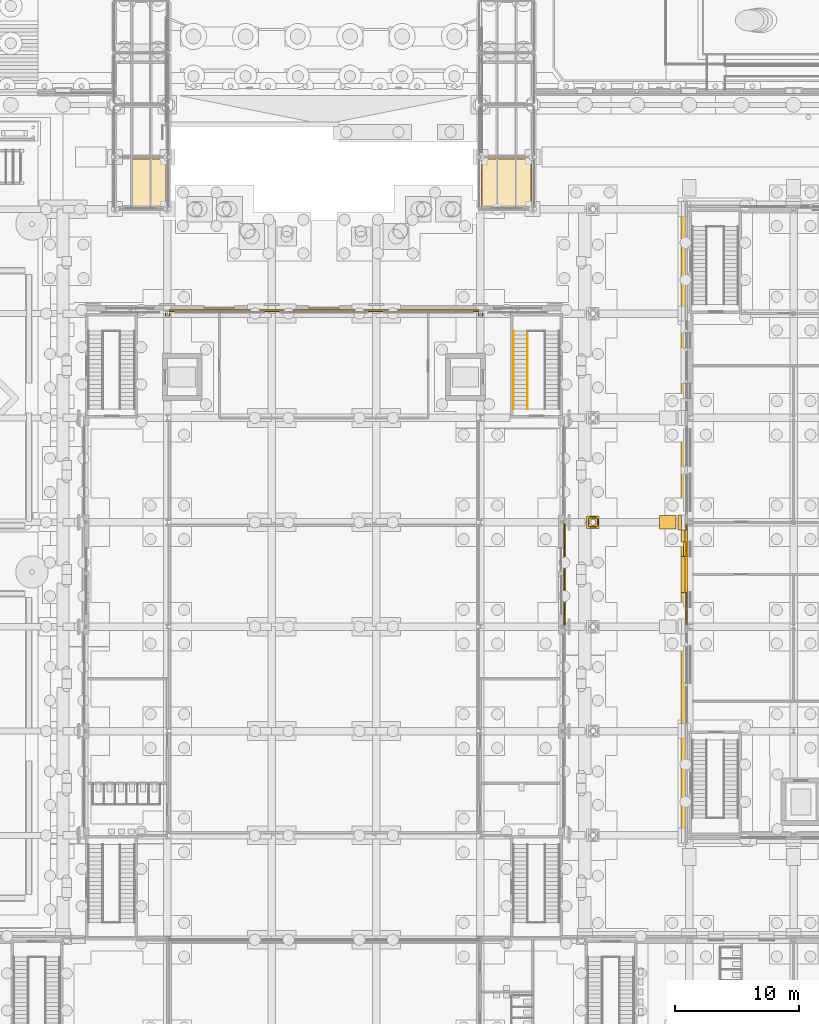
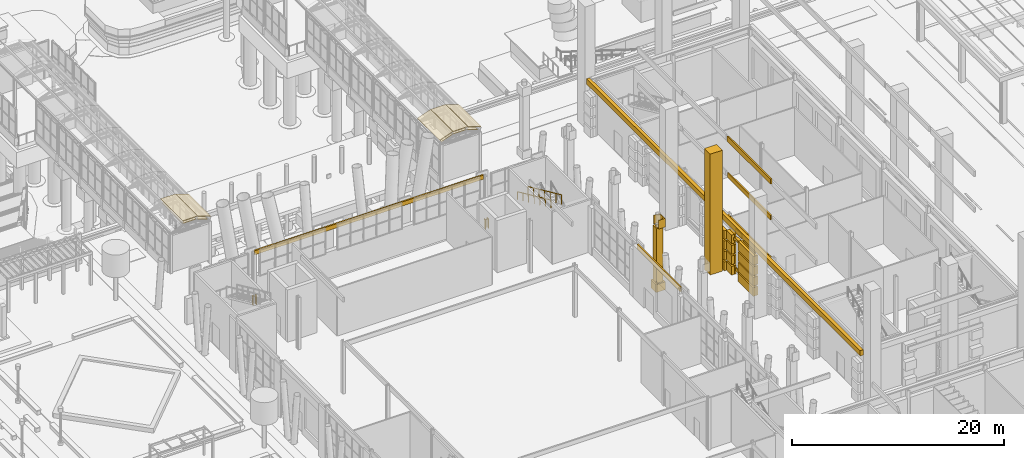
# One storey, part 152 of 222: 45 coverings, 4 railings.
"""IFC4 building model written with IfcOpenShell, lengths in metres."""

from ifc_helpers import new_model, si_unit, direction, frame, origin, origin_2d, place, context, subcontext, project, spatial, polyline, rectangle, circle, outline, extrude, material, layer, layer_set, type_object, element, save


model = new_model("IFC4")

# Units and contexts
model_context = context("Model", 3, precision=1e-05, world=origin(), true_north=direction((0.0, 1.0)))
body_context = subcontext(model_context, "Body", "Model", "MODEL_VIEW")
ifc_project = project(units=[si_unit("LENGTHUNIT", "METRE"), si_unit("AREAUNIT", "SQUARE_METRE"), si_unit("VOLUMEUNIT", "CUBIC_METRE"), si_unit("PLANEANGLEUNIT", "RADIAN"), si_unit("MASSUNIT", "GRAM", prefix="KILO")], contexts=[model_context])

# Site, building, storey
site_placement = place(None, origin())
site = spatial("IfcSite", under=ifc_project, at=site_placement, CompositionType="ELEMENT")
building_placement = place(site_placement, origin())
building = spatial("IfcBuilding", under=site, at=building_placement, Name="Sava Quay Ferry Terminal", CompositionType="ELEMENT")
storey_placement = place(building_placement, origin())
storey = spatial("IfcBuildingStorey", under=building, at=storey_placement, Name="L00", CompositionType="ELEMENT", Elevation=0.0)

# Coverings
ifc_material_1 = material(Name="Limestone Mutalj", Category="masonry")
ifc_layer_1 = layer(ifc_material_1, 0.300048828125)
ifc_layer_set_1 = layer_set([ifc_layer_1], Name="Limestone Mutalj")
covering_type_1 = type_object("IfcCoveringType", Name="Arch band 280", PredefinedType="MOLDING", material=ifc_layer_set_1)
covering_1_placement = place(storey_placement, frame((92.25, 81.231201171875, 3.89990234375), z_axis=(1.0, 0.0, 0.0), x_axis=(0.0, 0.766686318179, 0.642021876199)))
element("IfcCovering", 1, at=covering_1_placement, inside=storey, type_object=covering_type_1, Name="Arch band", PredefinedType="MOLDING", context=body_context, shape_type="SweptSolid", body=[
    extrude(outline(polyline([(0.0, 0.0), (0.15667057654730215, -1.3877787807814457e-17), (0.29293404656438327, -0.02398938309786766), (0.414337308134961, -0.06610472040016957), (0.5230139006591377, -0.1230376562322823), (0.6205921316676617, -0.19360424362325043), (0.7071983091278714, -0.2772733803971569), (0.7823317665186302, -0.3742626814856812), (0.8451129134167863, -0.48638306834825396), (0.8926594933146406, -0.6163159221710233), (0.9201733252360722, -0.7705516463358979), (1.1491757571516024, -0.49708272278628407), (1.0994043308893047, -0.3694264559410845), (1.0385345431113546, -0.2554038406547403), (0.9677594714851411, -0.1528295969140227), (0.8883939362971753, -0.06089413630177459), (0.8003770662378966, 0.021090386980039788), (0.7042095278284416, 0.09334158786309998), (0.5997650131014718, 0.15532836417148896), (0.4863556762589516, 0.20698984459564596), (0.3634154141219664, 0.2468894662299388), (0.22900243191553027, 0.27346892354961383), (0.0, 0.0)])), origin(), (0.0, 0.0, -1.0), 0.300048828125),
])
ifc_material_2 = material(Name="Limestone Mutalj", Category="masonry")
ifc_layer_2 = layer(ifc_material_2, 0.35009765625)
ifc_layer_set_2 = layer_set([ifc_layer_2], Name="Limestone Mutalj")
covering_type_2 = type_object("IfcCoveringType", Name="Base course 600", PredefinedType="MOLDING", material=ifc_layer_set_2)
covering_2_placement = place(storey_placement, frame((91.925048828125, 84.0, 5.39990234375), z_axis=(0.0, 0.0, 1.0), x_axis=(1.0, 0.0, 0.0)))
element("IfcCovering", 2, at=covering_2_placement, inside=storey, type_object=covering_type_2, Name="Base course O W", PredefinedType="MOLDING", context=body_context, shape_type="SweptSolid", body=[
    extrude(rectangle(XDim=0.35009765625, YDim=51.60009765625, at=origin_2d()), origin(), (0.0, 0.0, 1.0), 0.60009765625),
])
ifc_material_3 = material(Name="Glulam GL28h", Category="wood")
ifc_layer_3 = layer(ifc_material_3, 0.06005859375)
ifc_layer_set_3 = layer_set([ifc_layer_3], Name="Glulam GL28h")
covering_type_3 = type_object("IfcCoveringType", Name="Glulam soffit lining 60", PredefinedType="CEILING", material=ifc_layer_set_3)
covering_3_placement = place(storey_placement, frame((47.5634765625, 109.360107421875, 5.095703125), z_axis=(0.0, 0.0, 1.0), x_axis=(1.0, 0.0, 0.0)))
element("IfcCovering", 3, at=covering_3_placement, inside=storey, type_object=covering_type_3, Name="Boarding gallery B1 timber soffit lining bay 1 facet 2", PredefinedType="CEILING", context=body_context, shape_type="SweptSolid", body=[
    extrude(outline(polyline([(0.0, 0.0), (1.472900390625, 0.0), (1.472900390625, 3.8798828125), (0.0, 3.8798828125), (0.0, 0.0)])), origin(), (0.0, 0.0, -1.0), 0.06005859375),
])
for number, where, z_axis, x_axis, name in (
    (4, (49.055908203125, 109.360107421875, 5.09228515625), (0.342028329159, 0.0, 0.939689641346), (0.939689641346, 0.0, -0.342028329159), "Boarding gallery B1 timber soffit lining bay 1 facet 3"),
    (5, (75.71728515625, 109.360107421875, 4.645751953125), (-0.342028329159, 0.0, 0.939689641346), (0.939689641346, 0.0, 0.342028329159), "Boarding gallery B2 timber soffit lining bay 1 facet 1"),
):
    element("IfcCovering", number, at=place(storey_placement, frame(where, z_axis=z_axis, x_axis=x_axis)), inside=storey, type_object=covering_type_3, Name=name, PredefinedType="CEILING", context=body_context, shape_type="SweptSolid", body=[
        extrude(outline(polyline([(0.0, 0.0), (1.3055444975084805, 0.0), (1.3055444975084805, 3.8798828125), (0.0, 3.8798828125), (0.0, 0.0)])), origin(), (0.0, 0.0, -1.0), 0.06005859375),
    ])
covering_4_placement = place(storey_placement, frame((76.963623046875, 109.360107421875, 5.095703125), z_axis=(0.0, 0.0, 1.0), x_axis=(1.0, 0.0, 0.0)))
element("IfcCovering", 6, at=covering_4_placement, inside=storey, type_object=covering_type_3, Name="Boarding gallery B2 timber soffit lining bay 1 facet 2", PredefinedType="CEILING", context=body_context, shape_type="SweptSolid", body=[
    extrude(outline(polyline([(0.0, 0.0), (1.472900390625, 0.0), (1.472900390625, 3.8798828125), (0.0, 3.8798828125), (0.0, 0.0)])), origin(), (0.0, 0.0, -1.0), 0.06005859375),
])
covering_5_placement = place(storey_placement, frame((78.455810546875, 109.360107421875, 5.09228515625), z_axis=(0.341968236193, 0.0, 0.939711511814), x_axis=(0.939711511814, 0.0, -0.341968236193)))
element("IfcCovering", 7, at=covering_5_placement, inside=storey, type_object=covering_type_3, Name="Boarding gallery B2 timber soffit lining bay 1 facet 3", PredefinedType="CEILING", context=body_context, shape_type="SweptSolid", body=[
    extrude(outline(polyline([(0.0, 0.0), (1.305773916594794, 0.0), (1.305773916594794, 3.8798828125), (0.0, 3.8798828125), (0.0, 0.0)])), origin(), (0.0, 0.0, -1.0), 0.06005859375),
])

# Railings
ifc_material_4 = material(Name="Steel S355", Category="steel")
railing_type_1 = type_object("IfcRailingType", Name="Guard 1100", PredefinedType="GUARDRAIL", material=ifc_material_4)
railing_1_placement = place(storey_placement, frame((79.39990234375, 99.39990234375, 3.14990234375)))
element("IfcRailing", 8, at=railing_1_placement, inside=storey, type_object=railing_type_1, Name="Guard at stair well ST-D6 L00", PredefinedType="GUARDRAIL", context=body_context, shape_type="SweptSolid", body=[
    extrude(circle(Radius=0.02392578125, at=origin_2d()), frame((0.0, 0.0, 1.076171875), z_axis=(0.0, -0.910361621584, 0.413813627068), x_axis=(1.0, 0.0, 0.0)), (0.0, 0.0, 1.0), 6.887451171875),
    extrude(circle(Radius=0.02099609375, at=origin_2d()), origin(), (0.0, 0.0, 1.0), 1.052001953125),
    extrude(circle(Radius=0.02099609375, at=origin_2d()), frame((0.0, -1.044921875, 0.47509765625)), (0.0, 0.0, 1.0), 1.052001953125),
    extrude(circle(Radius=0.02099609375, at=origin_2d()), frame((0.0, -2.090087890625, 0.949951171875)), (0.0, 0.0, 1.0), 1.052001953125),
    extrude(circle(Radius=0.02099609375, at=origin_2d()), frame((0.0, -3.135009765625, 1.425048828125)), (0.0, 0.0, 1.0), 1.052001953125),
    extrude(circle(Radius=0.02099609375, at=origin_2d()), frame((0.0, -4.179931640625, 1.900146484375)), (0.0, 0.0, 1.0), 1.052001953125),
    extrude(circle(Radius=0.02099609375, at=origin_2d()), frame((0.0, -5.22509765625, 2.375)), (0.0, 0.0, 1.0), 1.052001953125),
    extrude(circle(Radius=0.02099609375, at=origin_2d()), frame((0.0, -6.27001953125, 2.85009765625)), (0.0, 0.0, 1.0), 1.052001953125),
])
for number, where, name in (
    (9, (50.239990234375, 100.800048828125, 0.0), "Mezzanine guard"),
    (10, (75.43994140625, 100.800048828125, 0.0), "Mezzanine guard"),
):
    element("IfcRailing", number, at=place(storey_placement, frame(where)), inside=storey, type_object=railing_type_1, Name=name, PredefinedType="GUARDRAIL", context=body_context, shape_type="SweptSolid", body=[
        extrude(circle(Radius=0.02392578125, at=origin_2d()), frame((0.0, 0.0, 1.076171875), z_axis=(0.0, -1.0, 0.0), x_axis=(1.0, 0.0, 0.0)), (0.0, 0.0, 1.0), 0.2099609375),
        extrude(circle(Radius=0.02392578125, at=origin_2d()), frame((0.0, -0.2099609375, 1.076171875), z_axis=(1.0, 0.0, 0.0), x_axis=(0.0, 1.0, 0.0)), (0.0, 0.0, 1.0), 0.320068359375),
        extrude(circle(Radius=0.02392578125, at=origin_2d()), frame((0.320068359375, -0.2099609375, 1.076171875), z_axis=(0.0, 1.0, 0.0), x_axis=(-1.0, 0.0, 0.0)), (0.0, 0.0, 1.0), 0.2099609375),
        extrude(circle(Radius=0.02099609375, at=origin_2d()), origin(), (0.0, 0.0, 1.0), 1.052001953125),
        extrude(circle(Radius=0.02099609375, at=origin_2d()), frame((0.0, -0.2099609375, 0.0)), (0.0, 0.0, 1.0), 1.052001953125),
        extrude(circle(Radius=0.02099609375, at=origin_2d()), frame((0.320068359375, -0.2099609375, 0.0)), (0.0, 0.0, 1.0), 1.052001953125),
        extrude(circle(Radius=0.02099609375, at=origin_2d()), frame((0.320068359375, 0.0, 0.0)), (0.0, 0.0, 1.0), 1.052001953125),
    ])

# Coverings
ifc_material_5 = material(Name="Limestone Mutalj", Category="masonry")
ifc_layer_4 = layer(ifc_material_5, 0.080078125)
ifc_layer_set_4 = layer_set([ifc_layer_4], Name="Limestone Mutalj")
covering_type_4 = type_object("IfcCoveringType", Name="Light stone cladding 80", PredefinedType="CLADDING", material=ifc_layer_set_4)
covering_6_placement = place(storey_placement, frame((92.2099609375, 79.800048828125, 4.60009765625), z_axis=(0.0, 0.0, 1.0), x_axis=(1.0, 0.0, 0.0)))
element("IfcCovering", 11, at=covering_6_placement, inside=storey, type_object=covering_type_4, Name="Light stone cladding", PredefinedType="CLADDING", context=body_context, shape_type="SweptSolid", body=[
    extrude(rectangle(XDim=0.080078125, YDim=2.2626953125, at=origin_2d()), origin(), (0.0, 0.0, 1.0), 0.64990234375),
])
covering_7_placement = place(storey_placement, frame((92.2099609375, 81.831298828125, 0.3798828125), z_axis=(0.0, 0.0, 1.0), x_axis=(1.0, 0.0, 0.0)))
element("IfcCovering", 12, at=covering_7_placement, inside=storey, type_object=covering_type_4, Name="Light stone cladding", PredefinedType="CLADDING", context=body_context, shape_type="SweptSolid", body=[
    extrude(rectangle(XDim=0.080078125, YDim=1.199951171875, at=origin_2d()), origin(), (0.0, 0.0, 1.0), 0.3701171875),
])
covering_8_placement = place(storey_placement, frame((92.2099609375, 81.831298828125, 4.72998046875), z_axis=(0.0, 0.0, 1.0), x_axis=(1.0, 0.0, 0.0)))
element("IfcCovering", 13, at=covering_8_placement, inside=storey, type_object=covering_type_4, Name="Light stone cladding", PredefinedType="CLADDING", context=body_context, shape_type="SweptSolid", body=[
    extrude(rectangle(XDim=0.080078125, YDim=1.199951171875, at=origin_2d()), origin(), (0.0, 0.0, 1.0), 0.52001953125),
])
ifc_material_6 = material(Name="Limestone Mutalj", Category="masonry")
ifc_layer_5 = layer(ifc_material_6, 0.14990234375)
ifc_layer_set_5 = layer_set([ifc_layer_5], Name="Limestone Mutalj")
covering_type_5 = type_object("IfcCoveringType", Name="Limestone string course 150", PredefinedType="CLADDING", material=ifc_layer_set_5)
covering_9_placement = place(storey_placement, frame((0.0, 0.0, 5.25)))
element("IfcCovering", 14, at=covering_9_placement, inside=storey, type_object=covering_type_5, Name="String course O-W", PredefinedType="CLADDING", context=body_context, shape_type="SweptSolid", body=[
    extrude(outline(polyline([(92.25, 76.199951171875), (92.25, 83.39990234375), (92.10009765625, 83.39990234375), (92.10009765625, 76.199951171875), (92.25, 76.199951171875)])), origin(), (0.0, 0.0, 1.0), 0.75),
])
ifc_material_7 = material(Name="Limestone Mutalj", Category="masonry")
ifc_layer_6 = layer(ifc_material_7, 1.35009765625)
ifc_layer_set_6 = layer_set([ifc_layer_6], Name="Limestone Mutalj")
covering_type_6 = type_object("IfcCoveringType", Name="Portico pier 1100", PredefinedType="CLADDING", material=ifc_layer_set_6)
covering_10_placement = place(storey_placement, frame((90.675048828125, 84.0, 0.0), z_axis=(0.0, 0.0, 1.0), x_axis=(1.0, 0.0, 0.0)))
element("IfcCovering", 15, at=covering_10_placement, inside=storey, type_object=covering_type_6, Name="Portico pier", PredefinedType="CLADDING", context=body_context, shape_type="SweptSolid", body=[
    extrude(rectangle(XDim=1.35009765625, YDim=1.10009765625, at=origin_2d()), origin(), (0.0, 0.0, 1.0), 13.89990234375),
])
ifc_material_8 = material(Name="Limestone Mutalj", Category="masonry")
ifc_layer_7 = layer(ifc_material_8, 1.0)
ifc_layer_set_7 = layer_set([ifc_layer_7], Name="Limestone Mutalj")
covering_type_7 = type_object("IfcCoveringType", Name="Post pier capital 1000", PredefinedType="MOLDING", material=ifc_layer_set_7)
covering_11_placement = place(storey_placement, frame((0.0, 0.0, 7.199951171875)))
element("IfcCovering", 16, at=covering_11_placement, inside=storey, type_object=covering_type_7, Name="Post pier capital", PredefinedType="MOLDING", context=body_context, shape_type="SweptSolid", body=[
    extrude(outline(polyline([(85.14990234375, 83.5), (85.14990234375, 84.5), (84.425048828125, 84.5), (84.43505859375, 84.47900390625), (84.451904296875, 84.426025390625), (84.470947265625, 84.43505859375), (84.512939453125, 84.448974609375), (84.55908203125, 84.4609375), (84.60498046875, 84.468017578125), (84.64892578125, 84.469970703125), (84.695068359375, 84.468017578125), (84.742919921875, 84.4609375), (84.784912109375, 84.449951171875), (84.8291015625, 84.43505859375), (84.8720703125, 84.4140625), (84.912109375, 84.389892578125), (84.948974609375, 84.363037109375), (84.98193359375, 84.3330078125), (85.012939453125, 84.299072265625), (85.0400390625, 84.261962890625), (85.06494140625, 84.220947265625), (85.0849609375, 84.178955078125), (85.10009765625, 84.135009765625), (85.111083984375, 84.093017578125), (85.117919921875, 84.044921875), (85.1201171875, 83.9990234375), (85.117919921875, 83.955078125), (85.111083984375, 83.908935546875), (85.10009765625, 83.864990234375), (85.083984375, 83.819091796875), (85.06396484375, 83.778076171875), (85.0400390625, 83.738037109375), (85.012939453125, 83.700927734375), (84.98291015625, 83.66796875), (84.948974609375, 83.636962890625), (84.912109375, 83.610107421875), (84.8720703125, 83.5859375), (84.8291015625, 83.56494140625), (84.784912109375, 83.550048828125), (84.742919921875, 83.5390625), (84.695068359375, 83.531982421875), (84.64892578125, 83.530029296875), (84.60498046875, 83.531982421875), (84.55908203125, 83.5390625), (84.512939453125, 83.551025390625), (84.470947265625, 83.56494140625), (84.451904296875, 83.573974609375), (84.43505859375, 83.52099609375), (84.425048828125, 83.5), (85.14990234375, 83.5)])), origin(), (0.0, 0.0, 1.0), 1.0),
])
ifc_material_9 = material(Name="Limestone Mutalj", Category="masonry")
ifc_layer_8 = layer(ifc_material_9, 1.0)
ifc_layer_set_8 = layer_set([ifc_layer_8], Name="Limestone Mutalj")
covering_type_8 = type_object("IfcCoveringType", Name="Post pier plinth 1000", PredefinedType="MOLDING", material=ifc_layer_set_8)
covering_12_placement = place(storey_placement, origin())
element("IfcCovering", 17, at=covering_12_placement, inside=storey, type_object=covering_type_8, Name="Post pier plinth", PredefinedType="MOLDING", context=body_context, shape_type="SweptSolid", body=[
    extrude(outline(polyline([(84.14990234375, 83.5), (85.14990234375, 83.5), (85.14990234375, 84.5), (84.14990234375, 84.5), (84.14990234375, 83.5)]), holes=[polyline([(84.89990234375, 84.050048828125), (84.905029296875, 84.0), (84.89990234375, 83.949951171875), (84.885986328125, 83.902099609375), (84.862060546875, 83.85791015625), (84.830078125, 83.820068359375), (84.7919921875, 83.7880859375), (84.748046875, 83.763916015625), (84.699951171875, 83.75), (84.64990234375, 83.7451171875), (84.60009765625, 83.75), (84.552001953125, 83.763916015625), (84.508056640625, 83.7880859375), (84.469970703125, 83.820068359375), (84.43798828125, 83.85791015625), (84.4140625, 83.902099609375), (84.39990234375, 83.949951171875), (84.39501953125, 84.0), (84.39990234375, 84.050048828125), (84.4140625, 84.097900390625), (84.43798828125, 84.14208984375), (84.469970703125, 84.179931640625), (84.508056640625, 84.2119140625), (84.552001953125, 84.236083984375), (84.60009765625, 84.25), (84.64990234375, 84.2548828125), (84.699951171875, 84.25), (84.748046875, 84.236083984375), (84.7919921875, 84.2119140625), (84.830078125, 84.179931640625), (84.862060546875, 84.14208984375), (84.885986328125, 84.097900390625), (84.89990234375, 84.050048828125)])]), origin(), (0.0, 0.0, 1.0), 0.89990234375),
])
ifc_material_10 = material(Name="Limestone Mutalj", Category="masonry")
ifc_layer_9 = layer(ifc_material_10, 0.699951171875)
ifc_layer_set_9 = layer_set([ifc_layer_9], Name="Limestone Mutalj")
covering_type_9 = type_object("IfcCoveringType", Name="Post pier shaft 700", PredefinedType="CLADDING", material=ifc_layer_set_9)
covering_13_placement = place(storey_placement, frame((0.0, 0.0, 0.89990234375)))
element("IfcCovering", 18, at=covering_13_placement, inside=storey, type_object=covering_type_9, Name="Post pier shaft", PredefinedType="CLADDING", context=body_context, shape_type="SweptSolid", body=[
    extrude(outline(polyline([(84.300048828125, 83.64990234375), (85.0, 83.64990234375), (85.0, 84.35009765625), (84.300048828125, 84.35009765625), (84.300048828125, 83.64990234375)]), holes=[polyline([(84.89990234375, 84.050048828125), (84.905029296875, 84.0), (84.89990234375, 83.949951171875), (84.885986328125, 83.902099609375), (84.862060546875, 83.85791015625), (84.830078125, 83.820068359375), (84.7919921875, 83.7880859375), (84.748046875, 83.763916015625), (84.699951171875, 83.75), (84.64990234375, 83.7451171875), (84.60009765625, 83.75), (84.552001953125, 83.763916015625), (84.508056640625, 83.7880859375), (84.469970703125, 83.820068359375), (84.43798828125, 83.85791015625), (84.4140625, 83.902099609375), (84.39990234375, 83.949951171875), (84.39501953125, 84.0), (84.39990234375, 84.050048828125), (84.4140625, 84.097900390625), (84.43798828125, 84.14208984375), (84.469970703125, 84.179931640625), (84.508056640625, 84.2119140625), (84.552001953125, 84.236083984375), (84.60009765625, 84.25), (84.64990234375, 84.2548828125), (84.699951171875, 84.25), (84.748046875, 84.236083984375), (84.7919921875, 84.2119140625), (84.830078125, 84.179931640625), (84.862060546875, 84.14208984375), (84.885986328125, 84.097900390625), (84.89990234375, 84.050048828125)])]), origin(), (0.0, 0.0, 1.0), 6.300048828125),
])
ifc_material_11 = material(Name="Limestone Mutalj", Category="masonry")
ifc_layer_10 = layer(ifc_material_11, 0.300048828125)
ifc_layer_set_10 = layer_set([ifc_layer_10], Name="Limestone Mutalj")
covering_type_10 = type_object("IfcCoveringType", Name="Rusticated course deepening 300", PredefinedType="CLADDING", material=ifc_layer_set_10)
for number, where, z_axis, x_axis, name in (
    (19, (91.64990234375, 84.0, 0.0), (0.0, 0.0, 1.0), (1.0, 0.0, 0.0), "Rusticated course deepening"),
    (20, (91.64990234375, 84.0, 1.199951171875), (0.0, 0.0, 1.0), (1.0, 0.0, 0.0), "Rusticated course deepening"),
    (21, (91.64990234375, 84.0, 2.39990234375), (0.0, 0.0, 1.0), (1.0, 0.0, 0.0), "Rusticated course deepening"),
    (22, (91.64990234375, 84.0, 3.60009765625), (0.0, 0.0, 1.0), (1.0, 0.0, 0.0), "Rusticated course deepening"),
):
    element("IfcCovering", number, at=place(storey_placement, frame(where, z_axis=z_axis, x_axis=x_axis)), inside=storey, type_object=covering_type_10, Name=name, PredefinedType="CLADDING", context=body_context, shape_type="SweptSolid", body=[
        extrude(rectangle(XDim=0.300048828125, YDim=1.199951171875, at=origin_2d()), origin(), (0.0, 0.0, 1.0), 1.0),
    ])
covering_14_placement = place(storey_placement, frame((91.89990234375, 79.800048828125, 0.0), z_axis=(0.0, 0.0, 1.0), x_axis=(1.0, 0.0, 0.0)))
element("IfcCovering", 23, at=covering_14_placement, inside=storey, type_object=covering_type_10, Name="Rusticated course deepening", PredefinedType="CLADDING", context=body_context, shape_type="SweptSolid", body=[
    extrude(rectangle(XDim=0.300048828125, YDim=2.862548828125, at=origin_2d()), origin(), (0.0, 0.0, 1.0), 1.0),
])
covering_15_placement = place(storey_placement, frame((91.89990234375, 82.91552734375, 0.0), z_axis=(0.0, 0.0, 1.0), x_axis=(1.0, 0.0, 0.0)))
element("IfcCovering", 24, at=covering_15_placement, inside=storey, type_object=covering_type_10, Name="Rusticated course deepening", PredefinedType="CLADDING", context=body_context, shape_type="SweptSolid", body=[
    extrude(rectangle(XDim=0.300048828125, YDim=0.96875, at=origin_2d()), origin(), (0.0, 0.0, 1.0), 1.0),
])
covering_16_placement = place(storey_placement, frame((91.89990234375, 79.800048828125, 1.199951171875), z_axis=(0.0, 0.0, 1.0), x_axis=(1.0, 0.0, 0.0)))
element("IfcCovering", 25, at=covering_16_placement, inside=storey, type_object=covering_type_10, Name="Rusticated course deepening", PredefinedType="CLADDING", context=body_context, shape_type="SweptSolid", body=[
    extrude(rectangle(XDim=0.300048828125, YDim=2.862548828125, at=origin_2d()), origin(), (0.0, 0.0, 1.0), 1.0),
])
covering_17_placement = place(storey_placement, frame((91.89990234375, 82.91552734375, 1.199951171875), z_axis=(0.0, 0.0, 1.0), x_axis=(1.0, 0.0, 0.0)))
element("IfcCovering", 26, at=covering_17_placement, inside=storey, type_object=covering_type_10, Name="Rusticated course deepening", PredefinedType="CLADDING", context=body_context, shape_type="SweptSolid", body=[
    extrude(rectangle(XDim=0.300048828125, YDim=0.96875, at=origin_2d()), origin(), (0.0, 0.0, 1.0), 1.0),
])
covering_18_placement = place(storey_placement, frame((91.89990234375, 79.800048828125, 2.39990234375), z_axis=(0.0, 0.0, 1.0), x_axis=(1.0, 0.0, 0.0)))
element("IfcCovering", 27, at=covering_18_placement, inside=storey, type_object=covering_type_10, Name="Rusticated course deepening", PredefinedType="CLADDING", context=body_context, shape_type="SweptSolid", body=[
    extrude(rectangle(XDim=0.300048828125, YDim=2.862548828125, at=origin_2d()), origin(), (0.0, 0.0, 1.0), 1.0),
])
covering_19_placement = place(storey_placement, frame((91.89990234375, 82.91552734375, 2.39990234375), z_axis=(0.0, 0.0, 1.0), x_axis=(1.0, 0.0, 0.0)))
element("IfcCovering", 28, at=covering_19_placement, inside=storey, type_object=covering_type_10, Name="Rusticated course deepening", PredefinedType="CLADDING", context=body_context, shape_type="SweptSolid", body=[
    extrude(rectangle(XDim=0.300048828125, YDim=0.96875, at=origin_2d()), origin(), (0.0, 0.0, 1.0), 1.0),
])
covering_20_placement = place(storey_placement, frame((91.89990234375, 79.800048828125, 3.60009765625), z_axis=(0.0, 0.0, 1.0), x_axis=(1.0, 0.0, 0.0)))
element("IfcCovering", 29, at=covering_20_placement, inside=storey, type_object=covering_type_10, Name="Rusticated course deepening", PredefinedType="CLADDING", context=body_context, shape_type="SweptSolid", body=[
    extrude(rectangle(XDim=0.300048828125, YDim=2.862548828125, at=origin_2d()), origin(), (0.0, 0.0, 1.0), 1.0),
])
covering_21_placement = place(storey_placement, frame((91.89990234375, 82.91552734375, 3.60009765625), z_axis=(0.0, 0.0, 1.0), x_axis=(1.0, 0.0, 0.0)))
element("IfcCovering", 30, at=covering_21_placement, inside=storey, type_object=covering_type_10, Name="Rusticated course deepening", PredefinedType="CLADDING", context=body_context, shape_type="SweptSolid", body=[
    extrude(rectangle(XDim=0.300048828125, YDim=0.96875, at=origin_2d()), origin(), (0.0, 0.0, 1.0), 1.0),
])
ifc_material_12 = material(Name="Limestone Mutalj", Category="masonry")
ifc_layer_11 = layer(ifc_material_12, 0.199951171875)
ifc_layer_set_11 = layer_set([ifc_layer_11], Name="Limestone Mutalj")
covering_type_11 = type_object("IfcCoveringType", Name="Rusticated wall course 200", PredefinedType="CLADDING", material=ifc_layer_set_11)
covering_22_placement = place(storey_placement, frame((92.14990234375, 79.800048828125, 0.0), z_axis=(0.0, 0.0, 1.0), x_axis=(1.0, 0.0, 0.0)))
element("IfcCovering", 31, at=covering_22_placement, inside=storey, type_object=covering_type_11, Name="Rusticated wall course", PredefinedType="CLADDING", context=body_context, shape_type="SweptSolid", body=[
    extrude(rectangle(XDim=0.199951171875, YDim=2.862548828125, at=origin_2d()), origin(), (0.0, 0.0, 1.0), 1.0),
])
covering_23_placement = place(storey_placement, frame((92.14990234375, 82.91552734375, 0.0), z_axis=(0.0, 0.0, 1.0), x_axis=(1.0, 0.0, 0.0)))
element("IfcCovering", 32, at=covering_23_placement, inside=storey, type_object=covering_type_11, Name="Rusticated wall course", PredefinedType="CLADDING", context=body_context, shape_type="SweptSolid", body=[
    extrude(rectangle(XDim=0.199951171875, YDim=0.96875, at=origin_2d()), origin(), (0.0, 0.0, 1.0), 1.0),
])
covering_24_placement = place(storey_placement, frame((92.14990234375, 79.800048828125, 1.199951171875), z_axis=(0.0, 0.0, 1.0), x_axis=(1.0, 0.0, 0.0)))
element("IfcCovering", 33, at=covering_24_placement, inside=storey, type_object=covering_type_11, Name="Rusticated wall course", PredefinedType="CLADDING", context=body_context, shape_type="SweptSolid", body=[
    extrude(rectangle(XDim=0.199951171875, YDim=2.862548828125, at=origin_2d()), origin(), (0.0, 0.0, 1.0), 1.0),
])
covering_25_placement = place(storey_placement, frame((92.14990234375, 82.91552734375, 1.199951171875), z_axis=(0.0, 0.0, 1.0), x_axis=(1.0, 0.0, 0.0)))
element("IfcCovering", 34, at=covering_25_placement, inside=storey, type_object=covering_type_11, Name="Rusticated wall course", PredefinedType="CLADDING", context=body_context, shape_type="SweptSolid", body=[
    extrude(rectangle(XDim=0.199951171875, YDim=0.96875, at=origin_2d()), origin(), (0.0, 0.0, 1.0), 1.0),
])
covering_26_placement = place(storey_placement, frame((92.14990234375, 79.800048828125, 2.39990234375), z_axis=(0.0, 0.0, 1.0), x_axis=(1.0, 0.0, 0.0)))
element("IfcCovering", 35, at=covering_26_placement, inside=storey, type_object=covering_type_11, Name="Rusticated wall course", PredefinedType="CLADDING", context=body_context, shape_type="SweptSolid", body=[
    extrude(rectangle(XDim=0.199951171875, YDim=2.862548828125, at=origin_2d()), origin(), (0.0, 0.0, 1.0), 1.0),
])
covering_27_placement = place(storey_placement, frame((92.14990234375, 82.91552734375, 2.39990234375), z_axis=(0.0, 0.0, 1.0), x_axis=(1.0, 0.0, 0.0)))
element("IfcCovering", 36, at=covering_27_placement, inside=storey, type_object=covering_type_11, Name="Rusticated wall course", PredefinedType="CLADDING", context=body_context, shape_type="SweptSolid", body=[
    extrude(rectangle(XDim=0.199951171875, YDim=0.96875, at=origin_2d()), origin(), (0.0, 0.0, 1.0), 1.0),
])
covering_28_placement = place(storey_placement, frame((92.14990234375, 79.800048828125, 3.60009765625), z_axis=(0.0, 0.0, 1.0), x_axis=(1.0, 0.0, 0.0)))
element("IfcCovering", 37, at=covering_28_placement, inside=storey, type_object=covering_type_11, Name="Rusticated wall course", PredefinedType="CLADDING", context=body_context, shape_type="SweptSolid", body=[
    extrude(rectangle(XDim=0.199951171875, YDim=2.862548828125, at=origin_2d()), origin(), (0.0, 0.0, 1.0), 1.0),
])
covering_29_placement = place(storey_placement, frame((92.14990234375, 82.91552734375, 3.60009765625), z_axis=(0.0, 0.0, 1.0), x_axis=(1.0, 0.0, 0.0)))
element("IfcCovering", 38, at=covering_29_placement, inside=storey, type_object=covering_type_11, Name="Rusticated wall course", PredefinedType="CLADDING", context=body_context, shape_type="SweptSolid", body=[
    extrude(rectangle(XDim=0.199951171875, YDim=0.96875, at=origin_2d()), origin(), (0.0, 0.0, 1.0), 1.0),
])
ifc_material_13 = material(Name="Limestone Mutalj", Category="masonry")
ifc_layer_12 = layer(ifc_material_13, 0.14990234375)
ifc_layer_set_12 = layer_set([ifc_layer_12], Name="Limestone Mutalj")
covering_type_12 = type_object("IfcCoveringType", Name="Slab edge fascia 150", PredefinedType="CLADDING", material=ifc_layer_set_12)
covering_30_placement = place(storey_placement, frame((0.0, 0.0, 5.469970703125)))
element("IfcCovering", 39, at=covering_30_placement, inside=storey, type_object=covering_type_12, Name="Slab edge fascia", PredefinedType="CLADDING", context=body_context, shape_type="SweptSolid", body=[
    extrude(outline(polyline([(82.2880859375, 83.8798828125), (82.2880859375, 75.719970703125), (82.43798828125, 75.719970703125), (82.43798828125, 83.8798828125), (82.2880859375, 83.8798828125)])), origin(), (0.0, 0.0, 1.0), 0.530029296875),
])
covering_31_placement = place(storey_placement, frame((0.0, 0.0, 5.47998046875)))
element("IfcCovering", 40, at=covering_31_placement, inside=storey, type_object=covering_type_12, Name="Slab edge fascia", PredefinedType="CLADDING", context=body_context, shape_type="SweptSolid", body=[
    extrude(outline(polyline([(92.10205078125, 75.760009765625), (92.251953125, 75.760009765625), (92.251953125, 83.840087890625), (92.10205078125, 83.840087890625), (92.10205078125, 75.760009765625)])), origin(), (0.0, 0.0, 1.0), 0.52001953125),
])
covering_32_placement = place(storey_placement, frame((0.0, 0.0, 5.510009765625)))
element("IfcCovering", 41, at=covering_32_placement, inside=storey, type_object=covering_type_12, Name="Slab edge fascia", PredefinedType="CLADDING", context=body_context, shape_type="SweptSolid", body=[
    extrude(outline(polyline([(50.550048828125, 101.097900390625), (50.550048828125, 100.947998046875), (75.449951171875, 100.947998046875), (75.449951171875, 101.097900390625), (50.550048828125, 101.097900390625)])), origin(), (0.0, 0.0, 1.0), 0.489990234375),
])
covering_33_placement = place(storey_placement, frame((0.0, 0.0, 10.280029296875)))
element("IfcCovering", 42, at=covering_33_placement, inside=storey, type_object=covering_type_12, Name="Slab edge fascia", PredefinedType="CLADDING", context=body_context, shape_type="SweptSolid", body=[
    extrude(outline(polyline([(92.10205078125, 75.75), (92.251953125, 75.75), (92.251953125, 83.85009765625), (92.10205078125, 83.85009765625), (92.10205078125, 75.75)])), origin(), (0.0, 0.0, 1.0), 0.52001953125),
])
covering_34_placement = place(storey_placement, frame((0.0, 0.0, 14.393310546875)))
element("IfcCovering", 43, at=covering_34_placement, inside=storey, type_object=covering_type_12, Name="Slab edge fascia", PredefinedType="CLADDING", context=body_context, shape_type="SweptSolid", body=[
    extrude(outline(polyline([(92.10205078125, 75.72998046875), (92.251953125, 75.72998046875), (92.251953125, 83.8701171875), (92.10205078125, 83.8701171875), (92.10205078125, 75.72998046875)])), origin(), (0.0, 0.0, 1.0), 0.606689453125),
])

# Railing
ifc_material_14 = material(Name="Steel S355", Category="steel")
railing_type_2 = type_object("IfcRailingType", Name="Stair handrail 900", PredefinedType="HANDRAIL", material=ifc_material_14)
railing_2_placement = place(storey_placement, frame((78.260009765625, 99.39990234375, 3.14990234375)))
element("IfcRailing", 44, at=railing_2_placement, inside=storey, type_object=railing_type_2, Name="Handrail ST-D6 L00", PredefinedType="HANDRAIL", context=body_context, shape_type="SweptSolid", body=[
    extrude(circle(Radius=0.02392578125, at=origin_2d()), frame((0.0, 0.0, 0.8759765625), z_axis=(0.0, -0.910361621584, 0.413813627068), x_axis=(1.0, 0.0, 0.0)), (0.0, 0.0, 1.0), 6.887451171875),
    extrude(circle(Radius=0.02099609375, at=origin_2d()), origin(), (0.0, 0.0, 1.0), 0.851806640625),
    extrude(circle(Radius=0.02099609375, at=origin_2d()), frame((0.0, -1.044921875, 0.47509765625)), (0.0, 0.0, 1.0), 0.851806640625),
    extrude(circle(Radius=0.02099609375, at=origin_2d()), frame((0.0, -2.090087890625, 0.949951171875)), (0.0, 0.0, 1.0), 0.851806640625),
    extrude(circle(Radius=0.02099609375, at=origin_2d()), frame((0.0, -3.135009765625, 1.425048828125)), (0.0, 0.0, 1.0), 0.851806640625),
    extrude(circle(Radius=0.02099609375, at=origin_2d()), frame((0.0, -4.179931640625, 1.900146484375)), (0.0, 0.0, 1.0), 0.851806640625),
    extrude(circle(Radius=0.02099609375, at=origin_2d()), frame((0.0, -5.22509765625, 2.375)), (0.0, 0.0, 1.0), 0.851806640625),
    extrude(circle(Radius=0.02099609375, at=origin_2d()), frame((0.0, -6.27001953125, 2.85009765625)), (0.0, 0.0, 1.0), 0.851806640625),
])

# Coverings
ifc_material_15 = material(Name="Zinc standing seam sheet")
ifc_layer_13 = layer(ifc_material_15, 0.0400390625)
ifc_layer_set_13 = layer_set([ifc_layer_13], Name="Zinc standing seam sheet")
covering_type_13 = type_object("IfcCoveringType", Name="Standing seam roofing 40", PredefinedType="ROOFING", material=ifc_layer_set_13)
covering_35_placement = place(storey_placement, frame((47.4912109375, 109.2099609375, 5.505859375), z_axis=(0.0, 0.0, 1.0), x_axis=(1.0, 0.0, 0.0)))
element("IfcCovering", 45, at=covering_35_placement, inside=storey, type_object=covering_type_13, Name="Boarding gallery B1 roofing bay 1 facet 2", PredefinedType="ROOFING", context=body_context, shape_type="SweptSolid", body=[
    extrude(outline(polyline([(0.0, 0.0), (1.617431640625, 0.0), (1.617431640625, 4.179931640625), (0.0, 4.179931640625), (0.0, 0.0)])), origin(), (0.0, 0.0, -1.0), 0.0400390625),
])
for number, where, z_axis, x_axis, name in (
    (46, (49.128173828125, 109.2099609375, 5.50244140625), (0.342089424704, 0.0, 0.939667401534), (0.939667401534, 0.0, -0.342089424704), "Boarding gallery B1 roofing bay 1 facet 3"),
    (47, (75.43603515625, 109.2099609375, 4.979736328125), (-0.342089424704, 0.0, 0.939667401534), (0.939667401534, 0.0, 0.342089424704), "Boarding gallery B2 roofing bay 1 facet 1"),
):
    element("IfcCovering", number, at=place(storey_placement, frame(where, z_axis=z_axis, x_axis=x_axis)), inside=storey, type_object=covering_type_13, Name=name, PredefinedType="ROOFING", context=body_context, shape_type="SweptSolid", body=[
        extrude(outline(polyline([(0.0, 0.0), (1.5279778922638676, 0.0), (1.5279778922638676, 4.179931640625), (0.0, 4.179931640625), (0.0, 0.0)])), origin(), (0.0, 0.0, -1.0), 0.0400390625),
    ])
covering_36_placement = place(storey_placement, frame((76.891357421875, 109.2099609375, 5.505859375), z_axis=(0.0, 0.0, 1.0), x_axis=(1.0, 0.0, 0.0)))
element("IfcCovering", 48, at=covering_36_placement, inside=storey, type_object=covering_type_13, Name="Boarding gallery B2 roofing bay 1 facet 2", PredefinedType="ROOFING", context=body_context, shape_type="SweptSolid", body=[
    extrude(outline(polyline([(0.0, 0.0), (1.617431640625, 0.0), (1.617431640625, 4.179931640625), (0.0, 4.179931640625), (0.0, 0.0)])), origin(), (0.0, 0.0, -1.0), 0.0400390625),
])
covering_37_placement = place(storey_placement, frame((78.528076171875, 109.2099609375, 5.50244140625), z_axis=(0.342089424704, 0.0, 0.939667401534), x_axis=(0.939667401534, 0.0, -0.342089424704)))
element("IfcCovering", 49, at=covering_37_placement, inside=storey, type_object=covering_type_13, Name="Boarding gallery B2 roofing bay 1 facet 3", PredefinedType="ROOFING", context=body_context, shape_type="SweptSolid", body=[
    extrude(outline(polyline([(0.0, 0.0), (1.5279778922638676, 0.0), (1.5279778922638676, 4.179931640625), (0.0, 4.179931640625), (0.0, 0.0)])), origin(), (0.0, 0.0, -1.0), 0.0400390625),
])

save(model, "model.ifc")
